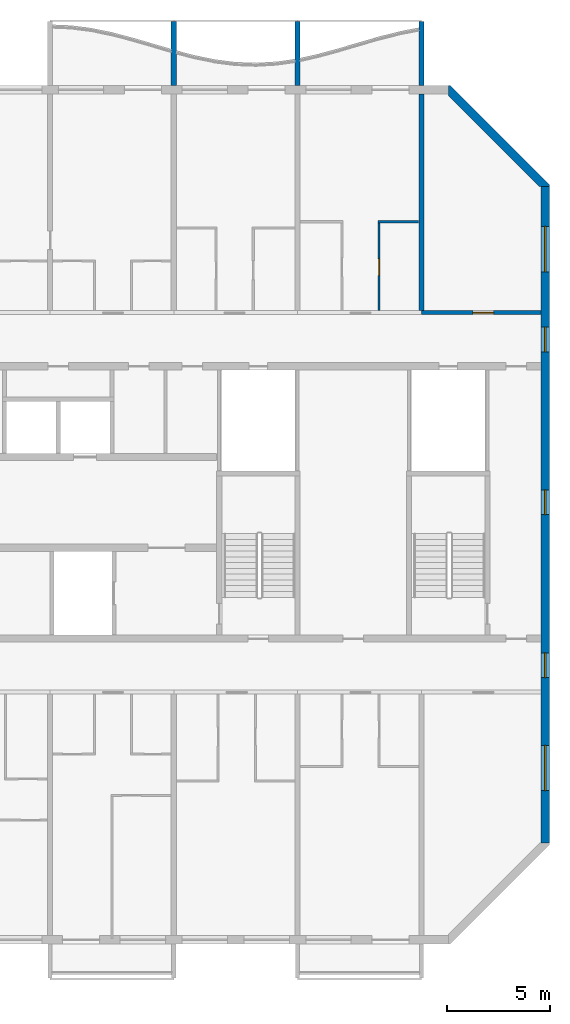
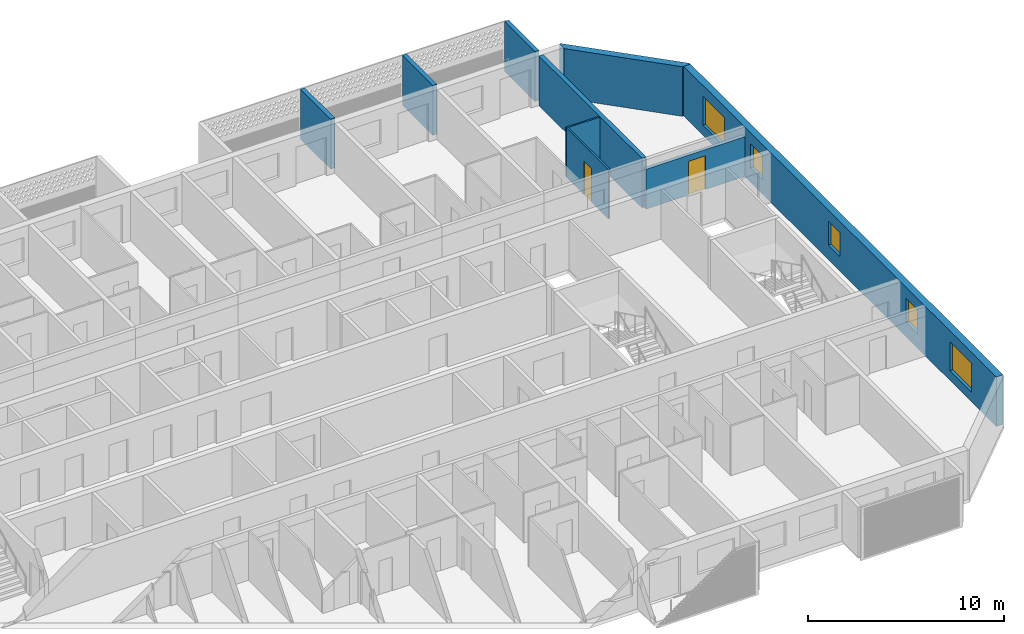
# One storey, part 11 of 26: 9 walls, 5 windows, 2 doors, 7 openings.
"""IFC4 building model written with IfcOpenShell, lengths in metres."""

from ifc_helpers import new_model, si_unit, direction, frame, frame_2d, origin, place, context, subcontext, project, spatial, polyline, rectangle, outline, extrude, source, transform, mapped, material, layer, layer_set, type_object, element, fill, save


model = new_model("IFC4")

# Units and contexts
model_context = context("Model", 3, precision=1e-05, world=origin(), true_north=direction((0.0, 1.0)))
body_context = subcontext(model_context, "Body", "Model", "MODEL_VIEW")
ifc_project = project(units=[si_unit("LENGTHUNIT", "METRE"), si_unit("AREAUNIT", "SQUARE_METRE"), si_unit("VOLUMEUNIT", "CUBIC_METRE"), si_unit("PLANEANGLEUNIT", "RADIAN"), si_unit("MASSUNIT", "GRAM", prefix="KILO")], contexts=[model_context])

# Site, building, storey
site_placement = place(None, origin())
site = spatial("IfcSite", under=ifc_project, at=site_placement, CompositionType="ELEMENT")
building_placement = place(site_placement, origin())
building = spatial("IfcBuilding", under=site, at=building_placement, Name="Poui Terraces", CompositionType="ELEMENT")
storey_placement = place(building_placement, frame((0.0, 0.0, 241.199951171875)))
storey = spatial("IfcBuildingStorey", under=building, at=storey_placement, Name="L67", CompositionType="ELEMENT", Elevation=241.199951171875)

# Wall, opening, door
ifc_material_1 = material(Name="Concrete 50 MPa", Category="concrete")
ifc_layer_1 = layer(ifc_material_1, 0.199951171875)
ifc_layer_set_1 = layer_set([ifc_layer_1], Name="Concrete 50 MPa")
wall_type_1 = type_object("IfcWallType", Name="CORRIDOR WALL 200 50MPa", PredefinedType="SHEAR", material=ifc_layer_set_1)
wall_1_placement = place(storey_placement, frame((78.0, 30.39990234375, 0.0), z_axis=(0.0, 0.0, 1.0), x_axis=(1.0, 0.0, 0.0)))
wall_1 = element("IfcWall", 1, at=wall_1_placement, inside=storey, type_object=wall_type_1, Name="CORRIDOR WALL LINE E BAY 11", PredefinedType="SHEAR", context=body_context, shape_type="SweptSolid", body=[
    extrude(rectangle(XDim=5.800048828125, YDim=0.199951171875, at=frame_2d((2.89990234375, 0.0))), origin(), (0.0, 0.0, 1.0), 2.47998046875),
])
opening_1_placement = place(wall_1_placement, frame((2.5, 0.0, 0.0)))
opening_1 = element("IfcOpeningElement", 2, at=opening_1_placement, cuts=wall_1, Name="Opening D100", PredefinedType="OPENING", context=body_context, shape_type="SweptSolid", body=[
    extrude(rectangle(XDim=1.0, YDim=2.10009765625, at=frame_2d((0.5, 1.050048828125))), frame((0.0, 0.10986328125, 0.0), z_axis=(0.0, -1.0, 0.0), x_axis=(1.0, 0.0, 0.0)), (0.0, 0.0, 1.0), 0.219970703125),
])
ifc_material_2 = material(Name="Solid core timber door", Category="wood")
door_type_1 = type_object("IfcDoorType", Name="ACCESSIBLE INTERNAL DOOR 1000 X 2100", OperationType="NOTDEFINED", PredefinedType="DOOR", material=ifc_material_2)
door_1_placement = place(opening_1_placement, origin())
door_1 = element("IfcDoor", 3, at=door_1_placement, inside=storey, type_object=door_type_1, Name="ACCESSIBLE INTERNAL DOOR 060", OperationType="SINGLE_SWING_LEFT", OverallHeight=2.10009765625, OverallWidth=1.0, PredefinedType="DOOR", context=body_context, shape_type="SweptSolid", body=[
    extrude(rectangle(XDim=1.0, YDim=2.10009765625, at=frame_2d((0.5, 1.050048828125))), frame((0.0, 0.02490234375, 0.0), z_axis=(0.0, -1.0, 0.0), x_axis=(1.0, 0.0, 0.0)), (0.0, 0.0, 1.0), 0.050048828125),
])
fill(opening_1, door_1)

# Wall
ifc_layer_2 = layer(ifc_material_1, 0.25)
ifc_layer_set_2 = layer_set([ifc_layer_2], Name="Concrete 50 MPa")
wall_type_2 = type_object("IfcWallType", Name="CROSS WALL 250 50MPa", PredefinedType="SHEAR", material=ifc_layer_set_2)
wall_2_placement = place(storey_placement, frame((78.0, 30.5, 0.0), z_axis=(0.0, 0.0, 1.0), x_axis=(0.0, 1.0, 0.0)))
element("IfcWall", 4, at=wall_2_placement, inside=storey, type_object=wall_type_2, Name="CROSS WALL LINE 14 NORTH", PredefinedType="SHEAR", context=body_context, shape_type="SweptSolid", body=[
    extrude(rectangle(XDim=10.5, YDim=0.25, at=frame_2d((5.25, 0.0))), origin(), (0.0, 0.0, 1.0), 3.080078125),
])

# Wall, openings, windows
ifc_layer_3 = layer(ifc_material_1, 0.39990234375)
ifc_layer_set_3 = layer_set([ifc_layer_3], Name="Concrete 50 MPa")
wall_type_3 = type_object("IfcWallType", Name="END WALL 400 50MPa", PredefinedType="SHEAR", material=ifc_layer_set_3)
wall_3_placement = place(storey_placement, frame((84.0, 4.682861328125, 0.0), z_axis=(0.0, 0.0, 1.0), x_axis=(0.0, 1.0, 0.0)))
wall_3 = element("IfcWall", 5, at=wall_3_placement, inside=storey, type_object=wall_type_3, Name="END WALL EAST", PredefinedType="SHEAR", context=body_context, shape_type="SweptSolid", body=[
    extrude(rectangle(XDim=31.834228515625, YDim=0.39990234375, at=frame_2d((15.9169921875, 0.0))), origin(), (0.0, 0.0, 1.0), 3.080078125),
])
opening_2_placement = place(wall_3_placement, frame((23.817138671875, 0.0, 0.89990234375)))
opening_2 = element("IfcOpeningElement", 6, at=opening_2_placement, cuts=wall_3, Name="Opening W2", PredefinedType="OPENING", context=body_context, shape_type="SweptSolid", body=[
    extrude(rectangle(XDim=1.199951171875, YDim=1.5, at=frame_2d((0.60009765625, 0.75))), frame((0.0, 0.2099609375, 0.0), z_axis=(0.0, -1.0, 0.0), x_axis=(1.0, 0.0, 0.0)), (0.0, 0.0, 1.0), 0.419921875),
])
opening_3_placement = place(wall_3_placement, frame((8.01708984375, 0.0, 0.89990234375)))
opening_3 = element("IfcOpeningElement", 7, at=opening_3_placement, cuts=wall_3, Name="Opening W2", PredefinedType="OPENING", context=body_context, shape_type="SweptSolid", body=[
    extrude(rectangle(XDim=1.199951171875, YDim=1.5, at=frame_2d((0.60009765625, 0.75))), frame((0.0, 0.2099609375, 0.0), z_axis=(0.0, -1.0, 0.0), x_axis=(1.0, 0.0, 0.0)), (0.0, 0.0, 1.0), 0.419921875),
])
opening_4_placement = place(wall_3_placement, frame((27.693603515625, 0.0, 0.60009765625)))
opening_4 = element("IfcOpeningElement", 8, at=opening_4_placement, cuts=wall_3, Name="Opening W3", PredefinedType="OPENING", context=body_context, shape_type="SweptSolid", body=[
    extrude(rectangle(XDim=2.199951171875, YDim=1.800048828125, at=frame_2d((1.10009765625, 0.89990234375))), frame((0.0, 0.2099609375, 0.0), z_axis=(0.0, -1.0, 0.0), x_axis=(1.0, 0.0, 0.0)), (0.0, 0.0, 1.0), 0.419921875),
])
opening_5_placement = place(wall_3_placement, frame((2.541015625, 0.0, 0.60009765625)))
opening_5 = element("IfcOpeningElement", 9, at=opening_5_placement, cuts=wall_3, Name="Opening W3", PredefinedType="OPENING", context=body_context, shape_type="SweptSolid", body=[
    extrude(rectangle(XDim=2.199951171875, YDim=1.800048828125, at=frame_2d((1.10009765625, 0.89990234375))), frame((0.0, 0.2099609375, 0.0), z_axis=(0.0, -1.0, 0.0), x_axis=(1.0, 0.0, 0.0)), (0.0, 0.0, 1.0), 0.419921875),
])
opening_6_placement = place(wall_3_placement, frame((15.917236328125, 0.0, 0.89990234375)))
opening_6 = element("IfcOpeningElement", 10, at=opening_6_placement, cuts=wall_3, Name="Opening W2", PredefinedType="OPENING", context=body_context, shape_type="SweptSolid", body=[
    extrude(rectangle(XDim=1.199951171875, YDim=1.5, at=frame_2d((0.60009765625, 0.75))), frame((0.0, 0.2099609375, 0.0), z_axis=(0.0, -1.0, 0.0), x_axis=(1.0, 0.0, 0.0)), (0.0, 0.0, 1.0), 0.419921875),
])
ifc_material_3 = material(Name="Clear glass in aluminium frame", Category="aluminium")
window_type_1 = type_object("IfcWindowType", Name="WINDOW 1200X1500", PartitioningType="SINGLE_PANEL", PredefinedType="WINDOW", material=ifc_material_3)
window_1_placement = place(opening_2_placement, origin())
window_1 = element("IfcWindow", 11, at=window_1_placement, inside=storey, type_object=window_type_1, Name="W2 WINDOW", OverallHeight=1.5, OverallWidth=1.199951171875, PartitioningType="SINGLE_PANEL", PredefinedType="WINDOW", context=body_context, shape_type="SweptSolid", body=[
    extrude(rectangle(XDim=1.199951171875, YDim=1.5, at=frame_2d((0.60009765625, 0.75))), frame((0.0, 0.030029296875, 0.0), z_axis=(0.0, -1.0, 0.0), x_axis=(1.0, 0.0, 0.0)), (0.0, 0.0, 1.0), 0.06005859375),
])
fill(opening_2, window_1)
window_2_placement = place(opening_3_placement, origin())
window_2 = element("IfcWindow", 12, at=window_2_placement, inside=storey, type_object=window_type_1, Name="W2 WINDOW", OverallHeight=1.5, OverallWidth=1.199951171875, PartitioningType="SINGLE_PANEL", PredefinedType="WINDOW", context=body_context, shape_type="SweptSolid", body=[
    extrude(rectangle(XDim=1.199951171875, YDim=1.5, at=frame_2d((0.60009765625, 0.75))), frame((0.0, 0.030029296875, 0.0), z_axis=(0.0, -1.0, 0.0), x_axis=(1.0, 0.0, 0.0)), (0.0, 0.0, 1.0), 0.06005859375),
])
fill(opening_3, window_2)
window_3_placement = place(opening_6_placement, origin())
window_3 = element("IfcWindow", 13, at=window_3_placement, inside=storey, type_object=window_type_1, Name="W2 WINDOW", OverallHeight=1.5, OverallWidth=1.199951171875, PartitioningType="SINGLE_PANEL", PredefinedType="WINDOW", context=body_context, shape_type="SweptSolid", body=[
    extrude(rectangle(XDim=1.199951171875, YDim=1.5, at=frame_2d((0.60009765625, 0.75))), frame((0.0, 0.030029296875, 0.0), z_axis=(0.0, -1.0, 0.0), x_axis=(1.0, 0.0, 0.0)), (0.0, 0.0, 1.0), 0.06005859375),
])
fill(opening_6, window_3)
window_type_2 = type_object("IfcWindowType", Name="WINDOW 2200X1800", PartitioningType="DOUBLE_PANEL_HORIZONTAL", PredefinedType="WINDOW", material=ifc_material_3)
window_4_placement = place(opening_4_placement, origin())
window_4 = element("IfcWindow", 14, at=window_4_placement, inside=storey, type_object=window_type_2, Name="W3 WINDOW", OverallHeight=1.800048828125, OverallWidth=2.199951171875, PartitioningType="DOUBLE_PANEL_HORIZONTAL", PredefinedType="WINDOW", context=body_context, shape_type="SweptSolid", body=[
    extrude(rectangle(XDim=2.199951171875, YDim=1.800048828125, at=frame_2d((1.10009765625, 0.89990234375))), frame((0.0, 0.030029296875, 0.0), z_axis=(0.0, -1.0, 0.0), x_axis=(1.0, 0.0, 0.0)), (0.0, 0.0, 1.0), 0.06005859375),
])
fill(opening_4, window_4)
window_5_placement = place(opening_5_placement, origin())
window_5 = element("IfcWindow", 15, at=window_5_placement, inside=storey, type_object=window_type_2, Name="W3 WINDOW", OverallHeight=1.800048828125, OverallWidth=2.199951171875, PartitioningType="DOUBLE_PANEL_HORIZONTAL", PredefinedType="WINDOW", context=body_context, shape_type="SweptSolid", body=[
    extrude(rectangle(XDim=2.199951171875, YDim=1.800048828125, at=frame_2d((1.10009765625, 0.89990234375))), frame((0.0, 0.030029296875, 0.0), z_axis=(0.0, -1.0, 0.0), x_axis=(1.0, 0.0, 0.0)), (0.0, 0.0, 1.0), 0.06005859375),
])
fill(opening_5, window_5)

# Wall
ifc_material_4 = material(Name="Plasterboard partition")
ifc_layer_4 = layer(ifc_material_4, 0.10009765625)
ifc_layer_set_4 = layer_set([ifc_layer_4], Name="Plasterboard partition")
wall_type_4 = type_object("IfcWallType", Name="FLAT PARTITION 100", PredefinedType="PARTITIONING", material=ifc_layer_set_4)
wall_4_placement = place(storey_placement, frame((75.89990234375, 34.800048828125, 0.0), z_axis=(0.0, 0.0, 1.0), x_axis=(1.0, 0.0, 0.0)))
element("IfcWall", 16, at=wall_4_placement, inside=storey, type_object=wall_type_4, Name="FLAT PARTITION 100", PredefinedType="PARTITIONING", context=body_context, shape_type="SweptSolid", body=[
    extrude(rectangle(XDim=1.965087890625, YDim=0.10009765625, at=frame_2d((0.982421875, 0.0))), origin(), (0.0, 0.0, 1.0), 3.080078125),
])

# Wall, opening, door
wall_5_placement = place(storey_placement, frame((75.949951171875, 30.510009765625, 0.0), z_axis=(0.0, 0.0, 1.0), x_axis=(0.0, 1.0, 0.0)))
wall_5 = element("IfcWall", 17, at=wall_5_placement, inside=storey, type_object=wall_type_4, Name="FLAT PARTITION 100", PredefinedType="PARTITIONING", context=body_context, shape_type="SweptSolid", body=[
    extrude(rectangle(XDim=4.239990234375, YDim=0.10009765625, at=frame_2d((2.1201171875, 0.0))), origin(), (0.0, 0.0, 1.0), 3.080078125),
])
opening_7_placement = place(wall_5_placement, frame((1.68994140625, 0.0, 0.0)))
opening_7 = element("IfcOpeningElement", 18, at=opening_7_placement, cuts=wall_5, Name="Opening D80", PredefinedType="OPENING", context=body_context, shape_type="SweptSolid", body=[
    extrude(rectangle(XDim=0.800048828125, YDim=2.10009765625, at=frame_2d((0.39990234375, 1.050048828125))), frame((0.0, 0.06005859375, 0.0), z_axis=(0.0, -1.0, 0.0), x_axis=(1.0, 0.0, 0.0)), (0.0, 0.0, 1.0), 0.1201171875),
])
door_type_2 = type_object("IfcDoorType", Name="BATHROOM, LAUNDRY AND STORE DOOR 800 X 2100", OperationType="NOTDEFINED", PredefinedType="DOOR", material=ifc_material_2)
door_2_placement = place(opening_7_placement, frame((0.800048828125, 0.0, 0.0), z_axis=(0.0, 0.0, 1.0), x_axis=(-1.0, 0.0, 0.0)))
door_2 = element("IfcDoor", 19, at=door_2_placement, inside=storey, type_object=door_type_2, Name="BATHROOM, LAUNDRY AND STORE DOOR 059", OperationType="SINGLE_SWING_RIGHT", OverallHeight=2.10009765625, OverallWidth=0.800048828125, PredefinedType="DOOR", context=body_context, shape_type="SweptSolid", body=[
    extrude(rectangle(XDim=0.800048828125, YDim=2.10009765625, at=frame_2d((0.39990234375, 1.050048828125))), frame((0.0, 0.02490234375, 0.0), z_axis=(0.0, -1.0, 0.0), x_axis=(1.0, 0.0, 0.0)), (0.0, 0.0, 1.0), 0.050048828125),
])
fill(opening_7, door_2)

# Walls
ifc_material_5 = material(Name="Precast concrete 40 MPa", Category="concrete")
ifc_layer_5 = layer(ifc_material_5, 0.39990234375)
ifc_layer_set_5 = layer_set([ifc_layer_5], Name="Precast concrete 40 MPa")
wall_type_5 = type_object("IfcWallType", Name="TERRACOTTA CLAD CHAMFER WALL 400", PredefinedType="STANDARD", material=ifc_layer_set_5)
wall_6_placement = place(storey_placement, origin())
element("IfcWall", 20, at=wall_6_placement, inside=storey, type_object=wall_type_5, Name="CHAMFER WALL CH03", PredefinedType="STANDARD", context=body_context, shape_type="SweptSolid", body=[
    extrude(outline(polyline([(84.199951171875, 36.51708984375), (84.199951171875, 36.60009765625), (79.39990234375, 41.39990234375), (79.317138671875, 41.39990234375), (79.317138671875, 40.917236328125), (83.71728515625, 36.51708984375), (84.199951171875, 36.51708984375)])), origin(), (0.0, 0.0, 1.0), 3.080078125),
])
ifc_layer_6 = layer(ifc_material_5, 0.25)
ifc_layer_set_6 = layer_set([ifc_layer_6], Name="Precast concrete 40 MPa")
wall_type_6 = type_object("IfcWallType", Name="BALCONY FIN 250", PredefinedType="STANDARD", material=ifc_layer_set_6)
shared_shape = source(origin(), body_context, "Body", "SweptSolid", [
    extrude(outline(polyline([(0.0, 0.0), (0.25, 0.0), (0.25, 3.10009765625), (0.0, 3.10009765625), (0.0, 0.0)])), origin(), (0.0, 0.0, 1.0), 3.10009765625),
])
for number, where, name in (
    (21, (65.875, 41.39990234375, 0.0), "BALCONY FIN"),
    (22, (71.875, 41.39990234375, 0.0), "BALCONY FIN"),
    (23, (77.875, 41.39990234375, 0.0), "BALCONY FIN"),
):
    element("IfcWall", number, at=place(storey_placement, frame(where)), inside=storey, type_object=wall_type_6, Name=name, PredefinedType="STANDARD", context=body_context, shape_type="MappedRepresentation", body=[
        mapped(shared_shape, transform((0.0, 0.0, 0.0))),
    ])

save(model, "model.ifc")
